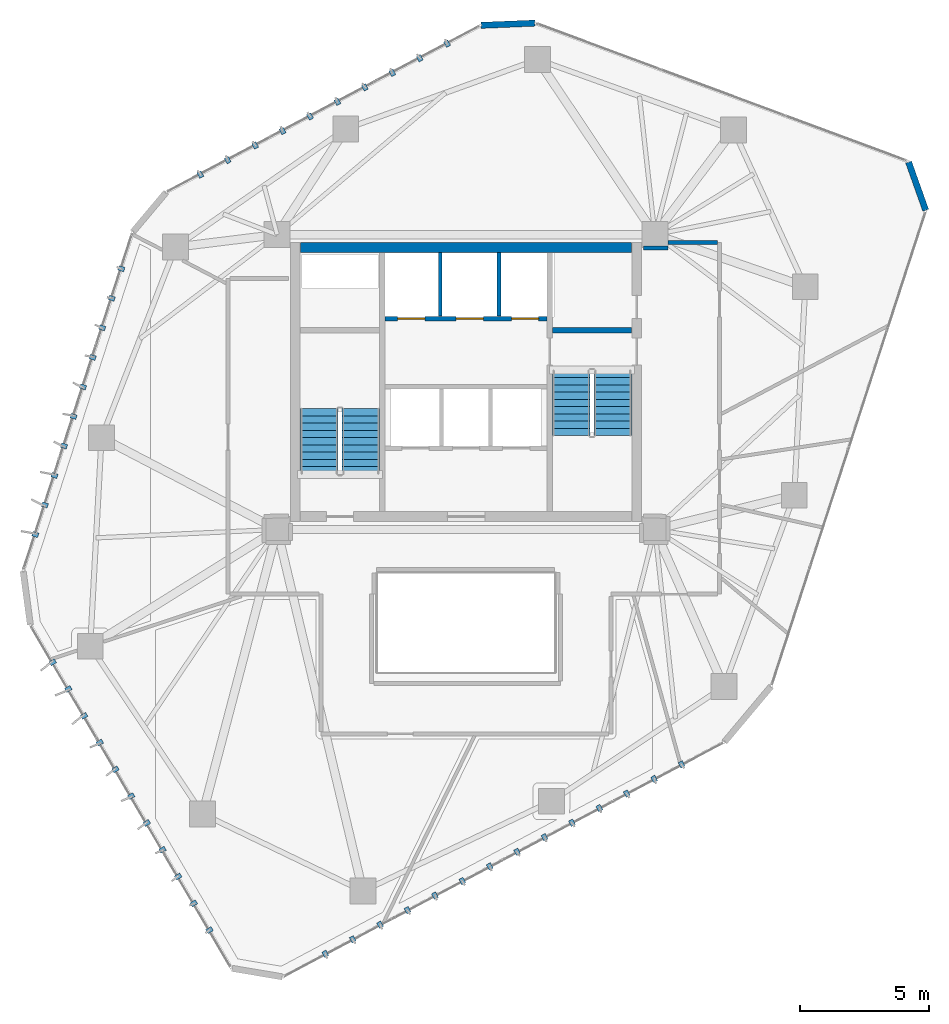
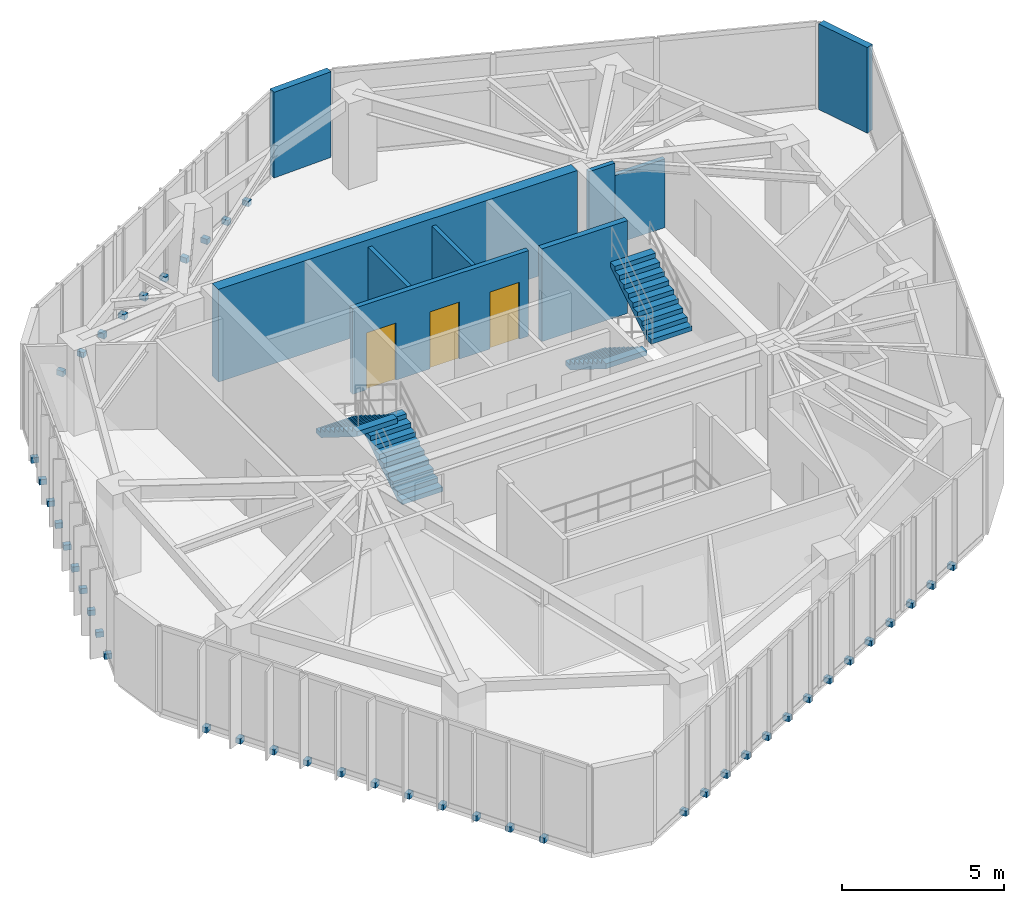
# One storey, part 17 of 19: 45 discrete accessories, 9 walls, 4 stair flights, 3 doors, 3 openings, 2 elements without a shape of their own.
"""IFC4 building model written with IfcOpenShell, lengths in metres."""

import ifcopenshell
import ifcopenshell.guid

model = None  # the IFC model being written
_history = None  # IfcOwnerHistory: only IFC2X3 demands one
_inside = {}  # id of a spatial element -> (the spatial element, [elements in it])
_under = {}  # id of a project, library or spatial element -> (it, [spatial elements below it])
_declared = {}  # id of a project -> (the project, [libraries it declares])
_typed = {}  # id of a type object -> (the type object, [elements of that type])
_made_of = {}  # id of a material, layer set ... -> (it, [elements and type objects made of it])


def new_model(schema):
    """Start an empty IFC model of exactly this schema.

    Asked for "IFC4X3", IfcOpenShell would pick the latest addendum, in which some entities
    have other attributes; the version numbers below select the first issue.
    IFC2X3 requires an IfcOwnerHistory on every rooted entity: one is made here for all.
    """
    global model, _history
    if schema == "IFC4X3":
        model = ifcopenshell.file(schema_version=(4, 3, 0, 0))
    else:
        model = ifcopenshell.file(schema=schema)
    _inside.clear()
    _under.clear()
    _declared.clear()
    _typed.clear()
    _made_of.clear()
    _history = None
    if model.schema == "IFC2X3":
        org = make("IfcOrganization", Name="unknown")
        user = make(
            "IfcPersonAndOrganization",
            ThePerson=make("IfcPerson", FamilyName="unknown"),
            TheOrganization=org,
        )
        app = make(
            "IfcApplication",
            ApplicationDeveloper=org,
            Version="unknown",
            ApplicationFullName="unknown",
            ApplicationIdentifier="unknown",
        )
        _history = make(
            "IfcOwnerHistory",
            OwningUser=user,
            OwningApplication=app,
            ChangeAction="ADDED",
            CreationDate=0,
        )
    return model


def make(cls, **values):
    """One entity of the class cls with the attributes given. An attribute that is None is left unset."""
    return model.create_entity(
        cls, **{name: value for name, value in values.items() if value is not None}
    )


def rooted(cls, **values):
    """An entity with a GlobalId (a new one), such as an element, a storey or a relation."""
    return make(cls, GlobalId=ifcopenshell.guid.new(), OwnerHistory=_history, **values)


def si_unit(unit_type, name, prefix=None):
    """IfcSIUnit, for example si_unit("LENGTHUNIT", "METRE", prefix="MILLI")."""
    return make("IfcSIUnit", UnitType=unit_type, Prefix=prefix, Name=name)


def assignment(units):
    """IfcUnitAssignment: the units of a project."""
    return None if units is None else make("IfcUnitAssignment", Units=units)


def point(xyz):
    """IfcCartesianPoint."""
    return None if xyz is None else make("IfcCartesianPoint", Coordinates=xyz)


def direction(xyz):
    """IfcDirection."""
    return None if xyz is None else make("IfcDirection", DirectionRatios=xyz)


def frame(location, z_axis=None, x_axis=None):
    """IfcAxis2Placement3D, a coordinate frame: its origin and axes. An axis left out is left unset."""
    return make(
        "IfcAxis2Placement3D",
        Location=point(location),
        Axis=direction(z_axis),
        RefDirection=direction(x_axis),
    )


def frame_2d(location, x_axis=None):
    """IfcAxis2Placement2D, a coordinate frame in the plane: its origin and x axis."""
    return make(
        "IfcAxis2Placement2D", Location=point(location), RefDirection=direction(x_axis)
    )


def origin():
    """The frame at (0, 0, 0) with its axes left unset."""
    return frame((0.0, 0.0, 0.0))


def origin_2d():
    """The frame at (0, 0) in the plane with its x axis left unset."""
    return frame_2d((0.0, 0.0))


def place(relative_to, where):
    """IfcLocalPlacement: puts the frame where relative to a parent placement (None: the world)."""
    return make(
        "IfcLocalPlacement", PlacementRelTo=relative_to, RelativePlacement=where
    )


def context(
    kind, dimensions, precision=None, world=None, true_north=None, identifier=None
):
    """IfcGeometricRepresentationContext, for example the 3D "Model" context."""
    return make(
        "IfcGeometricRepresentationContext",
        ContextIdentifier=identifier,
        ContextType=kind,
        CoordinateSpaceDimension=dimensions,
        Precision=precision,
        WorldCoordinateSystem=world,
        TrueNorth=true_north,
    )


def subcontext(parent, identifier, kind, view, scale=None):
    """IfcGeometricRepresentationSubContext, for example "Body" below "Model"."""
    return make(
        "IfcGeometricRepresentationSubContext",
        ContextIdentifier=identifier,
        ContextType=kind,
        ParentContext=parent,
        TargetScale=scale,
        TargetView=view,
    )


def project(units=None, contexts=None):
    """IfcProject with its units and contexts."""
    return rooted(
        "IfcProject",
        Name="project",
        RepresentationContexts=contexts,
        UnitsInContext=assignment(units),
    )


def spatial(cls, under=None, at=None, **own):
    """A site, building, storey or space (cls), placed at a placement, below another one or the project."""
    s = rooted(cls, ObjectPlacement=at, **own)
    if under is not None:
        _under.setdefault(under.id(), (under, []))[1].append(s)
    return s


def polyline(points):
    """IfcPolyline through the points."""
    return make("IfcPolyline", Points=[point(p) for p in points])


def profile(cls, at=None, kind="AREA", **sizes):
    """A parametric profile (cls). Its sizes go by their IFC names, for example OverallWidth=200.0."""
    return make(cls, ProfileType=kind, Position=at, **sizes)


def rectangle(**sizes):
    """IfcRectangleProfileDef."""
    return profile("IfcRectangleProfileDef", **sizes)


def outline(outer, holes=None, kind="AREA"):
    """IfcArbitraryClosedProfileDef: a profile drawn as a closed curve; with holes, ...WithVoids."""
    if holes is None:
        return make("IfcArbitraryClosedProfileDef", ProfileType=kind, OuterCurve=outer)
    return make(
        "IfcArbitraryProfileDefWithVoids",
        ProfileType=kind,
        OuterCurve=outer,
        InnerCurves=holes,
    )


def extrude(swept, where, along, depth):
    """IfcExtrudedAreaSolid: the profile swept, set in the frame where, extruded along a direction by depth."""
    return make(
        "IfcExtrudedAreaSolid",
        SweptArea=swept,
        Position=where,
        ExtrudedDirection=direction(along),
        Depth=depth,
    )


def shape(context_of_items, identifier, shape_type, items):
    """IfcShapeRepresentation: the items that make up one representation, for example the "Body"."""
    return make(
        "IfcShapeRepresentation",
        ContextOfItems=context_of_items,
        RepresentationIdentifier=identifier,
        RepresentationType=shape_type,
        Items=items,
    )


def source(mapping_origin, context_of_items, identifier, shape_type, items):
    """IfcRepresentationMap: a shape defined once, which mapped items show again and again."""
    return make(
        "IfcRepresentationMap",
        MappingOrigin=mapping_origin,
        MappedRepresentation=shape(context_of_items, identifier, shape_type, items),
    )


def transform(
    local_origin,
    x_axis=None,
    y_axis=None,
    z_axis=None,
    scale=None,
    scale2=None,
    scale3=None,
    uniform=True,
):
    """IfcCartesianTransformationOperator3D, or its non-uniform kind. x_axis, y_axis, z_axis: its Axis1, 2, 3."""
    if uniform:
        return make(
            "IfcCartesianTransformationOperator3D",
            Axis1=direction(x_axis),
            Axis2=direction(y_axis),
            LocalOrigin=point(local_origin),
            Scale=scale,
            Axis3=direction(z_axis),
        )
    return make(
        "IfcCartesianTransformationOperator3DnonUniform",
        Axis1=direction(x_axis),
        Axis2=direction(y_axis),
        LocalOrigin=point(local_origin),
        Scale=scale,
        Axis3=direction(z_axis),
        Scale2=scale2,
        Scale3=scale3,
    )


def mapped(mapping_source, mapping_target):
    """IfcMappedItem: shows the shape of a source again, moved by a transform."""
    return make(
        "IfcMappedItem", MappingSource=mapping_source, MappingTarget=mapping_target
    )


def material(Name=None, Category=None):
    """IfcMaterial."""
    return make("IfcMaterial", Name=Name, Category=Category)


def layer(
    of_material, thickness, ventilated=None, Name=None, Category=None, Priority=None
):
    """IfcMaterialLayer: one layer of a wall or slab, of a material (None: an air gap)."""
    return make(
        "IfcMaterialLayer",
        Material=of_material,
        LayerThickness=thickness,
        IsVentilated=ventilated,
        Name=Name,
        Category=Category,
        Priority=Priority,
    )


def layer_set(layers, Name=None):
    """IfcMaterialLayerSet."""
    return make("IfcMaterialLayerSet", MaterialLayers=layers, LayerSetName=Name)


def made_of(thing, what):
    """Note that an element or type object is made of a material, layer set ...; save() writes the relation."""
    if what is not None:
        _made_of.setdefault(what.id(), (what, []))[1].append(thing)
    return thing


def type_object(cls, material=None, **own):
    """A type object (cls), such as IfcWallType, which elements share."""
    return made_of(rooted(cls, **own), material)


def type_shapes(of_type, sources):
    """Give a type object the sources (RepresentationMaps) that its elements show as mapped items."""
    of_type.RepresentationMaps = sources


def element(
    cls,
    number,
    at=None,
    inside=None,
    cuts=None,
    type_object=None,
    material=None,
    context=None,
    identifier="Body",
    shape_type=None,
    held_by="IfcProductDefinitionShape",
    body=None,
    shapes=None,
    **own,
):
    """One element of the class cls, such as IfcWall. Its Tag is "e" and its number.

    at: its placement. inside: the storey or other place that contains it. cuts: it is an
    opening in that element (IfcRelVoidsElement). A single representation is given by context,
    identifier, shape_type and body (its items); several are given by shapes. held_by: the class
    of the entity that holds the representations. save() writes the other relations.
    """
    e = rooted(cls, Tag="e%d" % number, ObjectPlacement=at, **own)
    if body is not None:
        shapes = [shape(context, identifier, shape_type, body)]
    if shapes is not None:
        e.Representation = make(held_by, Representations=shapes)
    if inside is not None:
        _inside.setdefault(inside.id(), (inside, []))[1].append(e)
    if cuts is not None:
        rooted(
            "IfcRelVoidsElement", RelatingBuildingElement=cuts, RelatedOpeningElement=e
        )
    if type_object is not None:
        _typed.setdefault(type_object.id(), (type_object, []))[1].append(e)
    return made_of(e, material)


def fill(opening, filler):
    """IfcRelFillsElement: the door or window that sits in an opening."""
    return rooted(
        "IfcRelFillsElement",
        RelatingOpeningElement=opening,
        RelatedBuildingElement=filler,
    )


def aggregate(whole, parts):
    """IfcRelAggregates: a whole, such as a stair, and the parts it consists of."""
    return rooted("IfcRelAggregates", RelatingObject=whole, RelatedObjects=parts)


def save(model, path):
    """Write the relations noted so far, then the file.

    IfcRelAggregates (storeys below a building ...), IfcRelContainedInSpatialStructure (elements
    in a storey), IfcRelDefinesByType, IfcRelAssociatesMaterial and IfcRelDeclares: one each for
    every whole, place, type object, material and project.
    """
    for whole, parts in _under.values():
        aggregate(whole, parts)
    for where, things in _inside.values():
        rooted(
            "IfcRelContainedInSpatialStructure",
            RelatedElements=things,
            RelatingStructure=where,
        )
    for kind, things in _typed.values():
        rooted("IfcRelDefinesByType", RelatedObjects=things, RelatingType=kind)
    for what, things in _made_of.values():
        rooted("IfcRelAssociatesMaterial", RelatedObjects=things, RelatingMaterial=what)
    for by, libraries in _declared.values():
        rooted("IfcRelDeclares", RelatingContext=by, RelatedDefinitions=libraries)
    model.write(path)


model = new_model("IFC4")

# Units and contexts
model_context = context("Model", 3, precision=1e-05, world=origin(), true_north=direction((0.0, 1.0)))
body_context = subcontext(model_context, "Body", "Model", "MODEL_VIEW")
ifc_project = project(units=[si_unit("LENGTHUNIT", "METRE"), si_unit("AREAUNIT", "SQUARE_METRE"), si_unit("VOLUMEUNIT", "CUBIC_METRE"), si_unit("PLANEANGLEUNIT", "RADIAN"), si_unit("MASSUNIT", "GRAM", prefix="KILO")], contexts=[model_context])

# Site, building, storey
site_placement = place(None, origin())
site = spatial("IfcSite", under=ifc_project, at=site_placement, CompositionType="ELEMENT")
building_placement = place(site_placement, origin())
building = spatial("IfcBuilding", under=site, at=building_placement, Name="Talar Marvaseh", CompositionType="ELEMENT")
storey_placement = place(building_placement, frame((0.0, 0.0, 174.0)))
storey = spatial("IfcBuildingStorey", under=building, at=storey_placement, Name="L45", CompositionType="ELEMENT", Elevation=174.0)

# Walls
ifc_material_1 = material(Name="Precast concrete C45/55", Category="concrete")
ifc_layer_1 = layer(ifc_material_1, 0.239990234375)
ifc_layer_set_1 = layer_set([ifc_layer_1], Name="Precast concrete C45/55")
wall_type_1 = type_object("IfcWallType", Name="Chamfered Hexagonal Corner Pier Wall Z3 240", PredefinedType="SOLIDWALL", material=ifc_layer_set_1)
wall_1_placement = place(storey_placement, frame((26.58154296875, 44.989501953125, 0.0), z_axis=(0.0, 0.0, 1.0), x_axis=(0.999143575049, 0.041377728775, 0.0)))
element("IfcWall", 1, at=wall_1_placement, inside=storey, type_object=wall_type_1, Name="L45 Chamfered Corner Limestone Pier 4", PredefinedType="SOLIDWALL", context=body_context, shape_type="SweptSolid", body=[
    extrude(rectangle(XDim=2.088623046875, YDim=0.239990234375, at=frame_2d((1.04443359375, 0.0))), origin(), (0.0, 0.0, 1.0), 3.22998046875),
])
wall_2_placement = place(storey_placement, frame((43.109375, 39.702880859375, 0.0), z_axis=(0.0, 0.0, 1.0), x_axis=(0.335053506637, -0.942199101937, 0.0)))
element("IfcWall", 2, at=wall_2_placement, inside=storey, type_object=wall_type_1, Name="L45 Chamfered Corner Limestone Pier 5", PredefinedType="SOLIDWALL", context=body_context, shape_type="SweptSolid", body=[
    extrude(rectangle(XDim=1.9775390625, YDim=0.239990234375, at=frame_2d((0.98876953125, 0.0))), origin(), (0.0, 0.0, 1.0), 3.22998046875),
])
ifc_material_2 = material(Name="Gypsum Board Partition Assembly")
ifc_layer_2 = layer(ifc_material_2, 0.155029296875)
ifc_layer_set_2 = layer_set([ifc_layer_2], Name="Gypsum Board Partition Assembly")
wall_type_2 = type_object("IfcWallType", Name="Corridor Fire-Rated Acoustic Partition 155", PredefinedType="PARTITIONING", material=ifc_layer_set_2)
wall_3_placement = place(storey_placement, frame((32.8701171875, 36.385009765625, 0.0), z_axis=(0.0, 0.0, 1.0), x_axis=(0.999999965754, 0.000261711585, 0.0)))
element("IfcWall", 3, at=wall_3_placement, inside=storey, type_object=wall_type_2, Name="L45 Interior Partition Wall", PredefinedType="PARTITIONING", context=body_context, shape_type="SweptSolid", body=[
    extrude(rectangle(XDim=0.932861328125, YDim=0.155029296875, at=frame_2d((0.46630859375, 0.0))), origin(), (0.0, 0.0, 1.0), 3.22998046875),
])
wall_4_placement = place(storey_placement, frame((33.81494140625, 36.60009765625, 0.0), z_axis=(0.0, 0.0, 1.0), x_axis=(1.0, 0.0, 0.0)))
element("IfcWall", 4, at=wall_4_placement, inside=storey, type_object=wall_type_2, Name="L45 Interior Partition Wall", PredefinedType="PARTITIONING", context=body_context, shape_type="SweptSolid", body=[
    extrude(rectangle(XDim=1.901611328125, YDim=0.155029296875, at=frame_2d((0.95068359375, 0.0))), origin(), (0.0, 0.0, 1.0), 2.589111328125),
])
ifc_layer_3 = layer(ifc_material_1, 0.14501953125)
ifc_layer_set_3 = layer_set([ifc_layer_3], Name="Precast concrete C45/55")
wall_type_3 = type_object("IfcWallType", Name="Fire-Rated Lift Divider Wall 145", PredefinedType="SOLIDWALL", material=ifc_layer_set_3)
for number, where, z_axis, x_axis, name in (
    (5, (25.0, 33.743408203125, 0.0), (0.0, 0.0, 1.0), (0.0, 1.0, 0.0), "L45 FFL-1/FFL-2 Divider"),
    (6, (27.280029296875, 33.743408203125, 0.0), (0.0, 0.0, 1.0), (0.0, 1.0, 0.0), "L45 FFL-2/SVL-1 Divider"),
):
    element("IfcWall", number, at=place(storey_placement, frame(where, z_axis=z_axis, x_axis=x_axis)), inside=storey, type_object=wall_type_3, Name=name, PredefinedType="SOLIDWALL", context=body_context, shape_type="SweptSolid", body=[
        extrude(rectangle(XDim=2.45654296875, YDim=0.14501953125, at=frame_2d((1.228271484375, 0.0))), origin(), (0.0, 0.0, 1.0), 3.22998046875),
    ])

# Wall, openings, doors
ifc_layer_4 = layer(ifc_material_1, 0.175048828125)
ifc_layer_set_4 = layer_set([ifc_layer_4], Name="Precast concrete C45/55")
wall_type_4 = type_object("IfcWallType", Name="Fire-Rated Lift Hoistway Enclosure Wall 175", PredefinedType="SOLIDWALL", material=ifc_layer_set_4)
wall_5_placement = place(storey_placement, frame((22.860107421875, 33.64990234375, 0.0), z_axis=(0.0, 0.0, 1.0), x_axis=(1.0, 0.0, 0.0)))
wall_5 = element("IfcWall", 7, at=wall_5_placement, inside=storey, type_object=wall_type_4, Name="L45 Firefighting and Service Lift Front Wall", PredefinedType="SOLIDWALL", context=body_context, shape_type="SweptSolid", body=[
    extrude(rectangle(XDim=6.27978515625, YDim=0.175048828125, at=frame_2d((3.139892578125, 0.0))), origin(), (0.0, 0.0, 1.0), 3.22998046875),
])
opening_1_placement = place(wall_5_placement, frame((0.5, 0.0, 0.0)))
opening_1 = element("IfcOpeningElement", 8, at=opening_1_placement, cuts=wall_5, Name="Opening LD-FF1", PredefinedType="OPENING", context=body_context, shape_type="SweptSolid", body=[
    extrude(rectangle(XDim=1.050048828125, YDim=2.14990234375, at=frame_2d((0.52490234375, 1.074951171875))), frame((0.0, 0.09765625, 0.0), z_axis=(0.0, -1.0, 0.0), x_axis=(1.0, 0.0, 0.0)), (0.0, 0.0, 1.0), 0.195068359375),
])
opening_2_placement = place(wall_5_placement, frame((2.760009765625, 0.0, 0.0)))
opening_2 = element("IfcOpeningElement", 9, at=opening_2_placement, cuts=wall_5, Name="Opening LD-FF2", PredefinedType="OPENING", context=body_context, shape_type="SweptSolid", body=[
    extrude(rectangle(XDim=1.050048828125, YDim=2.14990234375, at=frame_2d((0.52490234375, 1.074951171875))), frame((0.0, 0.09765625, 0.0), z_axis=(0.0, -1.0, 0.0), x_axis=(1.0, 0.0, 0.0)), (0.0, 0.0, 1.0), 0.195068359375),
])
opening_3_placement = place(wall_5_placement, frame((4.89990234375, 0.0, 0.0)))
opening_3 = element("IfcOpeningElement", 10, at=opening_3_placement, cuts=wall_5, Name="Opening LD-SV1", PredefinedType="OPENING", context=body_context, shape_type="SweptSolid", body=[
    extrude(rectangle(XDim=1.050048828125, YDim=2.14990234375, at=frame_2d((0.52490234375, 1.074951171875))), frame((0.0, 0.09765625, 0.0), z_axis=(0.0, -1.0, 0.0), x_axis=(1.0, 0.0, 0.0)), (0.0, 0.0, 1.0), 0.195068359375),
])
ifc_material_3 = material(Name="Stainless Steel Grade 316", Category="steel")
door_type = type_object("IfcDoorType", Name="Automatic Sliding Lift Landing Door 1050x2150", OperationType="NOTDEFINED", PredefinedType="DOOR", material=ifc_material_3)
shared_shape_1 = source(origin(), body_context, "Body", "SweptSolid", [
    extrude(rectangle(XDim=1.050048828125, YDim=2.14990234375, at=frame_2d((0.52490234375, 1.074951171875))), frame((0.0, 0.02490234375, 0.0), z_axis=(0.0, -1.0, 0.0), x_axis=(1.0, 0.0, 0.0)), (0.0, 0.0, 1.0), 0.050048828125),
])
type_shapes(door_type, [shared_shape_1])
door_1_placement = place(opening_1_placement, origin())
door_1 = element("IfcDoor", 11, at=door_1_placement, inside=storey, type_object=door_type, Name="L45 Lift FFL-1 Sliding Landing Door", OperationType="SLIDING_TO_LEFT", OverallHeight=2.14990234375, OverallWidth=1.050048828125, PredefinedType="DOOR", context=body_context, shape_type="MappedRepresentation", body=[
    mapped(shared_shape_1, transform((0.0, 0.0, 0.0), x_axis=(1.0, 0.0, 0.0), y_axis=(0.0, 1.0, 0.0), z_axis=(0.0, 0.0, 1.0), scale=1.0)),
])
fill(opening_1, door_1)
door_2_placement = place(opening_2_placement, origin())
door_2 = element("IfcDoor", 12, at=door_2_placement, inside=storey, type_object=door_type, Name="L45 Lift FFL-2 Sliding Landing Door", OperationType="SLIDING_TO_LEFT", OverallHeight=2.14990234375, OverallWidth=1.050048828125, PredefinedType="DOOR", context=body_context, shape_type="MappedRepresentation", body=[
    mapped(shared_shape_1, transform((0.0, 0.0, 0.0), x_axis=(1.0, 0.0, 0.0), y_axis=(0.0, 1.0, 0.0), z_axis=(0.0, 0.0, 1.0), scale=1.0)),
])
fill(opening_2, door_2)
door_3_placement = place(opening_3_placement, origin())
door_3 = element("IfcDoor", 13, at=door_3_placement, inside=storey, type_object=door_type, Name="L45 Lift SVL-1 Sliding Landing Door", OperationType="SLIDING_TO_LEFT", OverallHeight=2.14990234375, OverallWidth=1.050048828125, PredefinedType="DOOR", context=body_context, shape_type="MappedRepresentation", body=[
    mapped(shared_shape_1, transform((0.0, 0.0, 0.0), x_axis=(1.0, 0.0, 0.0), y_axis=(0.0, 1.0, 0.0), z_axis=(0.0, 0.0, 1.0), scale=1.0)),
])
fill(opening_3, door_3)

# Walls
ifc_material_4 = material(Name="Concrete C60/75", Category="concrete")
ifc_layer_5 = layer(ifc_material_4, 0.3798828125)
ifc_layer_set_5 = layer_set([ifc_layer_5], Name="Concrete C60/75")
wall_type_5 = type_object("IfcWallType", Name="Mid Core Reinforced Concrete Shear Wall 380", PredefinedType="SHEAR", material=ifc_layer_set_5)
wall_6_placement = place(storey_placement, frame((19.60009765625, 36.39990234375, 0.0), z_axis=(0.0, 0.0, 1.0), x_axis=(1.0, 0.0, 0.0)))
element("IfcWall", 14, at=wall_6_placement, inside=storey, type_object=wall_type_5, Name="L45 North Core Shear Wall", PredefinedType="SHEAR", context=body_context, shape_type="SweptSolid", body=[
    extrude(rectangle(XDim=12.7998046875, YDim=0.3798828125, at=frame_2d((6.39990234375, 0.0))), origin(), (0.0, 0.0, 1.0), 3.5),
])
ifc_material_5 = material(Name="Concrete C50/60", Category="concrete")
ifc_layer_6 = layer(ifc_material_5, 0.199951171875)
ifc_layer_set_6 = layer_set([ifc_layer_6], Name="Concrete C50/60")
wall_type_6 = type_object("IfcWallType", Name="Stair Shaft Structural Concrete Shear Wall 200", PredefinedType="SHEAR", material=ifc_layer_set_6)
wall_7_placement = place(storey_placement, frame((29.340087890625, 33.199951171875, 0.0), z_axis=(0.0, 0.0, 1.0), x_axis=(1.0, 0.0, 0.0)))
element("IfcWall", 15, at=wall_7_placement, inside=storey, type_object=wall_type_6, Name="L45 Stair ST-2 North Shear Wall", PredefinedType="SHEAR", context=body_context, shape_type="SweptSolid", body=[
    extrude(rectangle(XDim=3.059814453125, YDim=0.199951171875, at=frame_2d((1.52978515625, 0.0))), origin(), (0.0, 0.0, 1.0), 3.5),
])

# Stair, stair flights
ifc_material_6 = material(Name="Concrete C40/50", Category="concrete")
stair_type = type_object("IfcStairType", Name="Reinforced Concrete High-Rise Exit Stair Type C", PredefinedType="HALF_TURN_STAIR", material=ifc_material_6)
stair_1_placement = place(storey_placement, origin())
stair_1 = element("IfcStair", 16, at=stair_1_placement, inside=storey, type_object=stair_type, Name="L45 Tower West Core Exit Stair", PredefinedType="HALF_TURN_STAIR")
ifc_layer_7 = layer(ifc_material_6, 0.159912109375)
ifc_layer_set_7 = layer_set([ifc_layer_7], Name="Concrete C40/50")
stair_flight_type = type_object("IfcStairFlightType", Name="Reinforced Concrete Straight Stair Flight 160", PredefinedType="STRAIGHT", material=ifc_layer_set_7)
stair_flight_1_placement = place(storey_placement, frame((21.93505859375, 27.64990234375, 0.0), z_axis=(0.0, 0.0, 1.0), x_axis=(0.0, 1.0, 0.0)))
stair_flight_1 = element("IfcStairFlight", 17, at=stair_flight_1_placement, type_object=stair_flight_type, Name="ST-1 flight 1", NumberOfRisers=10, NumberOfTreads=9, PredefinedType="STRAIGHT", RiserHeight=0.175, TreadLength=0.28, context=body_context, shape_type="SweptSolid", body=[
    extrude(outline(polyline([(0.0, 0.0), (0.0, 0.175048828125), (0.280029296875, 0.175048828125), (0.280029296875, 0.35009765625), (0.56005859375, 0.35009765625), (0.56005859375, 0.52490234375), (0.840087890625, 0.52490234375), (0.840087890625, 0.699951171875), (1.1201171875, 0.699951171875), (1.1201171875, 0.875), (1.39990234375, 0.875), (1.39990234375, 1.050048828125), (1.679931640625, 1.050048828125), (1.679931640625, 1.22509765625), (1.9599609375, 1.22509765625), (1.9599609375, 1.39990234375), (2.239990234375, 1.39990234375), (2.239990234375, 1.574951171875), (2.52001953125, 1.574951171875), (2.52001953125, 1.75), (2.52001953125, 1.386474609375), (0.3017578125, 0.0), (0.0, 0.0)])), frame((0.0, 0.72509765625, 0.0), z_axis=(0.0, -1.0, 0.0), x_axis=(1.0, 0.0, 0.0)), (0.0, 0.0, 1.0), 1.449951171875),
])
stair_flight_2_placement = place(storey_placement, frame((20.324951171875, 30.169921875, 1.75), z_axis=(0.0, 0.0, 1.0), x_axis=(0.0, -1.0, 0.0)))
stair_flight_2 = element("IfcStairFlight", 18, at=stair_flight_2_placement, type_object=stair_flight_type, Name="ST-1 flight 2", NumberOfRisers=10, NumberOfTreads=9, PredefinedType="STRAIGHT", RiserHeight=0.175, TreadLength=0.28, context=body_context, shape_type="SweptSolid", body=[
    extrude(outline(polyline([(0.0, 0.0), (0.0, 0.175048828125), (0.280029296875, 0.175048828125), (0.280029296875, 0.35009765625), (0.56005859375, 0.35009765625), (0.56005859375, 0.52490234375), (0.840087890625, 0.52490234375), (0.840087890625, 0.699951171875), (1.1201171875, 0.699951171875), (1.1201171875, 0.875), (1.39990234375, 0.875), (1.39990234375, 1.050048828125), (1.679931640625, 1.050048828125), (1.679931640625, 1.22509765625), (1.9599609375, 1.22509765625), (1.9599609375, 1.39990234375), (2.239990234375, 1.39990234375), (2.239990234375, 1.574951171875), (2.52001953125, 1.574951171875), (2.52001953125, 1.75), (2.52001953125, 1.386474609375), (0.3017578125, 0.0), (0.0, 0.0)])), frame((0.0, 0.72509765625, 0.0), z_axis=(0.0, -1.0, 0.0), x_axis=(1.0, 0.0, 0.0)), (0.0, 0.0, 1.0), 1.449951171875),
])
aggregate(stair_1, [stair_flight_1, stair_flight_2])

stair_2_placement = place(storey_placement, origin())
stair_2 = element("IfcStair", 19, at=stair_2_placement, inside=storey, type_object=stair_type, Name="L45 Tower East Core Exit Stair", PredefinedType="HALF_TURN_STAIR")
stair_flight_3_placement = place(storey_placement, frame((30.06494140625, 31.64990234375, 0.0), z_axis=(0.0, 0.0, 1.0), x_axis=(0.0, -1.0, 0.0)))
stair_flight_3 = element("IfcStairFlight", 20, at=stair_flight_3_placement, type_object=stair_flight_type, Name="ST-2 flight 1", NumberOfRisers=10, NumberOfTreads=9, PredefinedType="STRAIGHT", RiserHeight=0.175, TreadLength=0.28, context=body_context, shape_type="SweptSolid", body=[
    extrude(outline(polyline([(0.0, 0.0), (0.0, 0.175048828125), (0.280029296875, 0.175048828125), (0.280029296875, 0.35009765625), (0.56005859375, 0.35009765625), (0.56005859375, 0.52490234375), (0.840087890625, 0.52490234375), (0.840087890625, 0.699951171875), (1.1201171875, 0.699951171875), (1.1201171875, 0.875), (1.39990234375, 0.875), (1.39990234375, 1.050048828125), (1.679931640625, 1.050048828125), (1.679931640625, 1.22509765625), (1.9599609375, 1.22509765625), (1.9599609375, 1.39990234375), (2.239990234375, 1.39990234375), (2.239990234375, 1.574951171875), (2.52001953125, 1.574951171875), (2.52001953125, 1.75), (2.52001953125, 1.386474609375), (0.3017578125, 0.0), (0.0, 0.0)])), frame((0.0, 0.72509765625, 0.0), z_axis=(0.0, -1.0, 0.0), x_axis=(1.0, 0.0, 0.0)), (0.0, 0.0, 1.0), 1.449951171875),
])
stair_flight_4_placement = place(storey_placement, frame((31.675048828125, 29.1298828125, 1.75), z_axis=(0.0, 0.0, 1.0), x_axis=(0.0, 1.0, 0.0)))
stair_flight_4 = element("IfcStairFlight", 21, at=stair_flight_4_placement, type_object=stair_flight_type, Name="ST-2 flight 2", NumberOfRisers=10, NumberOfTreads=9, PredefinedType="STRAIGHT", RiserHeight=0.175, TreadLength=0.28, context=body_context, shape_type="SweptSolid", body=[
    extrude(outline(polyline([(0.0, 0.0), (0.0, 0.175048828125), (0.280029296875, 0.175048828125), (0.280029296875, 0.35009765625), (0.56005859375, 0.35009765625), (0.56005859375, 0.52490234375), (0.840087890625, 0.52490234375), (0.840087890625, 0.699951171875), (1.1201171875, 0.699951171875), (1.1201171875, 0.875), (1.39990234375, 0.875), (1.39990234375, 1.050048828125), (1.679931640625, 1.050048828125), (1.679931640625, 1.22509765625), (1.9599609375, 1.22509765625), (1.9599609375, 1.39990234375), (2.239990234375, 1.39990234375), (2.239990234375, 1.574951171875), (2.52001953125, 1.574951171875), (2.52001953125, 1.75), (2.52001953125, 1.386474609375), (0.3017578125, 0.0), (0.0, 0.0)])), frame((0.0, 0.72509765625, 0.0), z_axis=(0.0, -1.0, 0.0), x_axis=(1.0, 0.0, 0.0)), (0.0, 0.0, 1.0), 1.449951171875),
])
aggregate(stair_2, [stair_flight_3, stair_flight_4])

# Discrete accessories
discrete_accessory_type = type_object("IfcDiscreteAccessoryType", Name="Stainless Slab-Edge Fin Mounting Bracket", PredefinedType="BRACKET", material=ifc_material_3)
shared_shape_2 = source(origin(), body_context, "Body", "SweptSolid", [
    extrude(rectangle(XDim=0.239990234375, YDim=0.179931640625, at=origin_2d()), origin(), (0.0, 0.0, 1.0), 0.199951171875),
])
type_shapes(discrete_accessory_type, [shared_shape_2])
for number, where, z_axis, x_axis, name in (
    (22, (16.08544921875, 10.01123046875, -0.18017578125), (0.0, 0.0, 1.0), (-0.862954938496, -0.505280886365, 0.0), "L45 Vertical Fin Slab-Edge Bracket"),
    (23, (15.479248046875, 11.046875, -0.18017578125), (0.0, 0.0, 1.0), (-0.862954938496, -0.505280886365, 0.0), "L45 Vertical Fin Slab-Edge Bracket"),
    (24, (14.872802734375, 12.08251953125, -0.18017578125), (0.0, 0.0, 1.0), (-0.862954938496, -0.505280886365, 0.0), "L45 Vertical Fin Slab-Edge Bracket"),
    (25, (14.2666015625, 13.117919921875, -0.18017578125), (0.0, 0.0, 1.0), (-0.862954938496, -0.505280886365, 0.0), "L45 Vertical Fin Slab-Edge Bracket"),
    (26, (13.660400390625, 14.153564453125, -0.18017578125), (0.0, 0.0, 1.0), (-0.862954938496, -0.505280886365, 0.0), "L45 Vertical Fin Slab-Edge Bracket"),
    (27, (13.05419921875, 15.189208984375, -0.18017578125), (0.0, 0.0, 1.0), (-0.862954938496, -0.505280886365, 0.0), "L45 Vertical Fin Slab-Edge Bracket"),
    (28, (12.447998046875, 16.224853515625, -0.18017578125), (0.0, 0.0, 1.0), (-0.862954938496, -0.505280886365, 0.0), "L45 Vertical Fin Slab-Edge Bracket"),
    (29, (11.841552734375, 17.260498046875, -0.18017578125), (0.0, 0.0, 1.0), (-0.862954938496, -0.505280886365, 0.0), "L45 Vertical Fin Slab-Edge Bracket"),
    (30, (11.2353515625, 18.2958984375, -0.18017578125), (0.0, 0.0, 1.0), (-0.862954938496, -0.505280886365, 0.0), "L45 Vertical Fin Slab-Edge Bracket"),
    (31, (10.62890625, 19.33154296875, -0.18017578125), (0.0, 0.0, 1.0), (-0.862954938496, -0.505280886365, 0.0), "L45 Vertical Fin Slab-Edge Bracket"),
    (32, (10.022705078125, 20.3671875, -0.18017578125), (0.0, 0.0, 1.0), (-0.862954938496, -0.505280886365, 0.0), "L45 Vertical Fin Slab-Edge Bracket"),
    (33, (9.35009765625, 25.30517578125, -0.18017578125), (0.0, 0.0, 1.0), (-0.951433341896, 0.30785482931, 0.0), "L45 Vertical Fin Slab-Edge Bracket"),
    (34, (9.719482421875, 26.44677734375, -0.18017578125), (0.0, 0.0, 1.0), (-0.951433341896, 0.30785482931, 0.0), "L45 Vertical Fin Slab-Edge Bracket"),
    (35, (10.0888671875, 27.58837890625, -0.18017578125), (0.0, 0.0, 1.0), (-0.951433341896, 0.30785482931, 0.0), "L45 Vertical Fin Slab-Edge Bracket"),
    (36, (10.458251953125, 28.730224609375, -0.18017578125), (0.0, 0.0, 1.0), (-0.951433341896, 0.30785482931, 0.0), "L45 Vertical Fin Slab-Edge Bracket"),
    (37, (10.827880859375, 29.871826171875, -0.18017578125), (0.0, 0.0, 1.0), (-0.951433341896, 0.30785482931, 0.0), "L45 Vertical Fin Slab-Edge Bracket"),
    (38, (11.197265625, 31.013671875, -0.18017578125), (0.0, 0.0, 1.0), (-0.951433341896, 0.30785482931, 0.0), "L45 Vertical Fin Slab-Edge Bracket"),
    (39, (11.566650390625, 32.1552734375, -0.18017578125), (0.0, 0.0, 1.0), (-0.951433341896, 0.30785482931, 0.0), "L45 Vertical Fin Slab-Edge Bracket"),
    (40, (11.936279296875, 33.297119140625, -0.18017578125), (0.0, 0.0, 1.0), (-0.951433341896, 0.30785482931, 0.0), "L45 Vertical Fin Slab-Edge Bracket"),
    (41, (12.3056640625, 34.438720703125, -0.18017578125), (0.0, 0.0, 1.0), (-0.951433341896, 0.30785482931, 0.0), "L45 Vertical Fin Slab-Edge Bracket"),
    (42, (12.675048828125, 35.58056640625, -0.18017578125), (0.0, 0.0, 1.0), (-0.951433341896, 0.30785482931, 0.0), "L45 Vertical Fin Slab-Edge Bracket"),
    (43, (15.728515625, 39.21923828125, -0.18017578125), (0.0, 0.0, 1.0), (-0.468392488698, 0.883520501477, 0.0), "L45 Vertical Fin Slab-Edge Bracket"),
    (44, (16.788818359375, 39.781494140625, -0.18017578125), (0.0, 0.0, 1.0), (-0.468392488698, 0.883520501477, 0.0), "L45 Vertical Fin Slab-Edge Bracket"),
    (45, (17.848876953125, 40.343505859375, -0.18017578125), (0.0, 0.0, 1.0), (-0.468392488698, 0.883520501477, 0.0), "L45 Vertical Fin Slab-Edge Bracket"),
    (46, (18.9091796875, 40.905517578125, -0.18017578125), (0.0, 0.0, 1.0), (-0.468392488698, 0.883520501477, 0.0), "L45 Vertical Fin Slab-Edge Bracket"),
    (47, (19.96923828125, 41.4677734375, -0.18017578125), (0.0, 0.0, 1.0), (-0.468392488698, 0.883520501477, 0.0), "L45 Vertical Fin Slab-Edge Bracket"),
    (48, (21.029541015625, 42.02978515625, -0.18017578125), (0.0, 0.0, 1.0), (-0.468392488698, 0.883520501477, 0.0), "L45 Vertical Fin Slab-Edge Bracket"),
    (49, (22.089599609375, 42.592041015625, -0.18017578125), (0.0, 0.0, 1.0), (-0.468392488698, 0.883520501477, 0.0), "L45 Vertical Fin Slab-Edge Bracket"),
    (50, (23.14990234375, 43.154052734375, -0.18017578125), (0.0, 0.0, 1.0), (-0.468392488698, 0.883520501477, 0.0), "L45 Vertical Fin Slab-Edge Bracket"),
    (51, (24.210205078125, 43.71630859375, -0.18017578125), (0.0, 0.0, 1.0), (-0.468392488698, 0.883520501477, 0.0), "L45 Vertical Fin Slab-Edge Bracket"),
    (52, (25.270263671875, 44.2783203125, -0.18017578125), (0.0, 0.0, 1.0), (-0.468392488698, 0.883520501477, 0.0), "L45 Vertical Fin Slab-Edge Bracket"),
    (53, (34.33349609375, 16.418212890625, -0.18017578125), (0.0, 0.0, 1.0), (0.469625659061, -0.882865641166, 0.0), "L45 Vertical Fin Slab-Edge Bracket"),
    (54, (33.27392578125, 15.854736328125, -0.18017578125), (0.0, 0.0, 1.0), (0.469625659061, -0.882865641166, 0.0), "L45 Vertical Fin Slab-Edge Bracket"),
    (55, (32.214599609375, 15.291259765625, -0.18017578125), (0.0, 0.0, 1.0), (0.469625659061, -0.882865641166, 0.0), "L45 Vertical Fin Slab-Edge Bracket"),
    (56, (31.155029296875, 14.727783203125, -0.18017578125), (0.0, 0.0, 1.0), (0.469625659061, -0.882865641166, 0.0), "L45 Vertical Fin Slab-Edge Bracket"),
    (57, (30.095703125, 14.164306640625, -0.18017578125), (0.0, 0.0, 1.0), (0.469625659061, -0.882865641166, 0.0), "L45 Vertical Fin Slab-Edge Bracket"),
    (58, (29.0361328125, 13.6005859375, -0.18017578125), (0.0, 0.0, 1.0), (0.469625659061, -0.882865641166, 0.0), "L45 Vertical Fin Slab-Edge Bracket"),
    (59, (27.976806640625, 13.037109375, -0.18017578125), (0.0, 0.0, 1.0), (0.469625659061, -0.882865641166, 0.0), "L45 Vertical Fin Slab-Edge Bracket"),
    (60, (26.917236328125, 12.4736328125, -0.18017578125), (0.0, 0.0, 1.0), (0.469625659061, -0.882865641166, 0.0), "L45 Vertical Fin Slab-Edge Bracket"),
    (61, (25.85791015625, 11.909912109375, -0.18017578125), (0.0, 0.0, 1.0), (0.469625659061, -0.882865641166, 0.0), "L45 Vertical Fin Slab-Edge Bracket"),
    (62, (24.79833984375, 11.346435546875, -0.18017578125), (0.0, 0.0, 1.0), (0.469625659061, -0.882865641166, 0.0), "L45 Vertical Fin Slab-Edge Bracket"),
    (63, (23.739013671875, 10.782958984375, -0.18017578125), (0.0, 0.0, 1.0), (0.469625659061, -0.882865641166, 0.0), "L45 Vertical Fin Slab-Edge Bracket"),
    (64, (22.679443359375, 10.219482421875, -0.18017578125), (0.0, 0.0, 1.0), (0.469625659061, -0.882865641166, 0.0), "L45 Vertical Fin Slab-Edge Bracket"),
    (65, (21.6201171875, 9.656005859375, -0.18017578125), (0.0, 0.0, 1.0), (0.469625659061, -0.882865641166, 0.0), "L45 Vertical Fin Slab-Edge Bracket"),
    (66, (20.560546875, 9.09228515625, -0.18017578125), (0.0, 0.0, 1.0), (0.469625659061, -0.882865641166, 0.0), "L45 Vertical Fin Slab-Edge Bracket"),
):
    element("IfcDiscreteAccessory", number, at=place(storey_placement, frame(where, z_axis=z_axis, x_axis=x_axis)), inside=storey, type_object=discrete_accessory_type, Name=name, PredefinedType="BRACKET", context=body_context, shape_type="MappedRepresentation", body=[
        mapped(shared_shape_2, transform((0.0, 0.0, 0.0), x_axis=(1.0, 0.0, 0.0), y_axis=(0.0, 1.0, 0.0), z_axis=(0.0, 0.0, 1.0), scale=1.0)),
    ])

save(model, "model.ifc")
